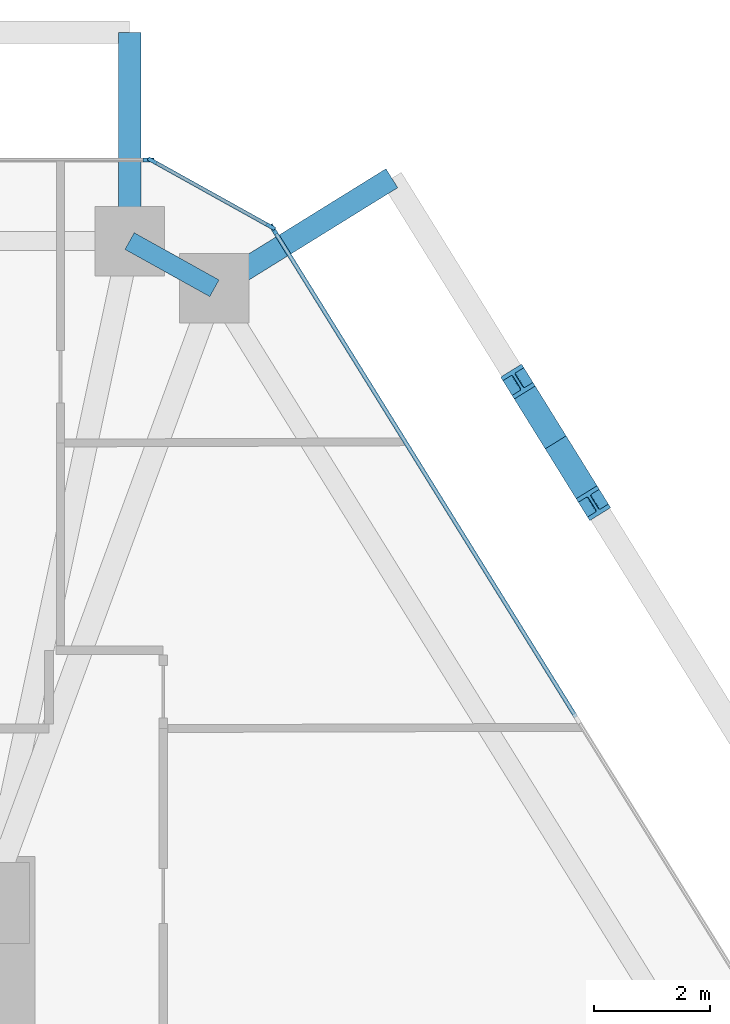
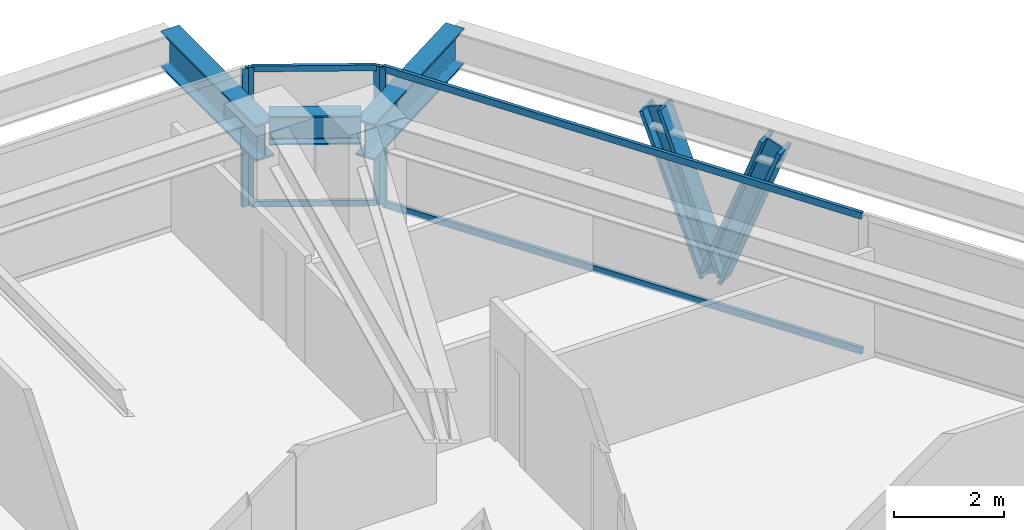
# One storey, part 8 of 14: 10 members, 3 beams, 3 elements without a shape of their own.
"""IFC4 building model written with IfcOpenShell, lengths in metres."""

from ifc_helpers import new_model, si_unit, direction, frame, origin, origin_2d, place, context, subcontext, project, spatial, rectangle, i_section, extrude, source, transform, mapped, material, layer, layer_set, material_profile, profile_set, type_object, type_shapes, element, aggregate, save


model = new_model("IFC4")

# Units and contexts
model_context = context("Model", 3, precision=1e-05, world=origin(), true_north=direction((0.0, 1.0)))
body_context = subcontext(model_context, "Body", "Model", "MODEL_VIEW")
ifc_project = project(units=[si_unit("LENGTHUNIT", "METRE"), si_unit("AREAUNIT", "SQUARE_METRE"), si_unit("VOLUMEUNIT", "CUBIC_METRE"), si_unit("PLANEANGLEUNIT", "RADIAN"), si_unit("MASSUNIT", "GRAM", prefix="KILO")], contexts=[model_context])

# Site, building, storey
site_placement = place(None, origin())
site = spatial("IfcSite", under=ifc_project, at=site_placement, CompositionType="ELEMENT")
building_placement = place(site_placement, origin())
building = spatial("IfcBuilding", under=site, at=building_placement, Name="Durnholm Broadcast Tower", CompositionType="ELEMENT")
storey_placement = place(building_placement, frame((0.0, 0.0, 107.39990234375)))
storey = spatial("IfcBuildingStorey", under=building, at=storey_placement, Name="L28", CompositionType="ELEMENT", Elevation=107.39990234375)

# Beams
ifc_material_1 = material(Name="Steel ASTM A992 Grade 50", Category="steel")
ifc_material_profile_1 = material_profile(ifc_material_1, i_section(OverallWidth=0.385009765625, OverallDepth=0.802978515625, WebThickness=0.023681640625, FlangeThickness=0.0419921875, FilletRadius=0.032958984375, at=origin_2d()), Name="W30X261")
ifc_profile_set_1 = profile_set([ifc_material_profile_1], Name="Steel ASTM A992 Grade 50")
beam_type_1 = type_object("IfcBeamType", Name="BM-EXO-TIE", PredefinedType="USERDEFINED", material=ifc_profile_set_1)
shared_shape_1 = source(origin(), body_context, "Body", "SweptSolid", [
    extrude(i_section(OverallWidth=0.385009765625, OverallDepth=0.802978515625, WebThickness=0.023681640625, FlangeThickness=0.0419921875, FilletRadius=0.032958984375, at=origin_2d()), origin(), (0.0, 0.0, 1.0), 3.4560546875),
])
beam_1_placement = place(storey_placement, frame((12.22998046875, 19.35888671875, 2.30859375), z_axis=(0.0, 1.0, 0.0), x_axis=(-1.0, 0.0, 0.0)))
element("IfcBeam", 1, at=beam_1_placement, inside=storey, type_object=beam_type_1, Name="L28 exoskeleton stand-off tie bracket F4.1", ObjectType="GIRDER", PredefinedType="USERDEFINED", context=body_context, shape_type="MappedRepresentation", body=[
    mapped(shared_shape_1, transform((0.0, 0.0, 0.0), x_axis=(1.0, 0.0, 0.0), y_axis=(0.0, 1.0, 0.0), z_axis=(0.0, 0.0, 1.0), scale=1.0)),
])
shared_shape_2 = source(origin(), body_context, "Body", "SweptSolid", [
    extrude(i_section(OverallWidth=0.385009765625, OverallDepth=0.802978515625, WebThickness=0.023681640625, FlangeThickness=0.0419921875, FilletRadius=0.032958984375, at=origin_2d()), origin(), (0.0, 0.0, 1.0), 3.455810546875),
])
type_shapes(beam_type_1, [shared_shape_1, shared_shape_2])
beam_2_placement = place(storey_placement, frame((13.814697265625, 18.477294921875, 2.30859375), z_axis=(0.849807128357, 0.527093772107, 0.0), x_axis=(-0.527093772107, 0.849807128357, 0.0)))
element("IfcBeam", 2, at=beam_2_placement, inside=storey, type_object=beam_type_1, Name="L28 exoskeleton stand-off tie bracket F3.2", ObjectType="GIRDER", PredefinedType="USERDEFINED", context=body_context, shape_type="MappedRepresentation", body=[
    mapped(shared_shape_2, transform((0.0, 0.0, 0.0), x_axis=(1.0, 0.0, 0.0), y_axis=(0.0, 1.0, 0.0), z_axis=(0.0, 0.0, 1.0), scale=1.0)),
])
ifc_material_profile_2 = material_profile(ifc_material_1, i_section(OverallWidth=0.3291015625, OverallDepth=0.635009765625, WebThickness=0.017822265625, FlangeThickness=0.031005859375, FilletRadius=0.02783203125, at=origin_2d()), Name="W24X162")
ifc_profile_set_2 = profile_set([ifc_material_profile_2], Name="Steel ASTM A992 Grade 50")
beam_type_2 = type_object("IfcBeamType", Name="STL-SP-W24X162", PredefinedType="SPANDREL", material=ifc_profile_set_2)
shared_shape_3 = source(origin(), body_context, "Body", "SweptSolid", [
    extrude(i_section(OverallWidth=0.3291015625, OverallDepth=0.635009765625, WebThickness=0.017822265625, FlangeThickness=0.031005859375, FilletRadius=0.02783203125, at=origin_2d()), origin(), (0.0, 0.0, 1.0), 1.67333984375),
])
type_shapes(beam_type_2, [shared_shape_3])
beam_3_placement = place(storey_placement, frame((12.22998046875, 19.215087890625, 2.7275390625), z_axis=(0.873799169188, -0.486286964586, 0.0), x_axis=(0.486286964586, 0.873799169188, 0.0)))
element("IfcBeam", 3, at=beam_3_placement, inside=storey, type_object=beam_type_2, Name="L28 perimeter spandrel girder 06", PredefinedType="SPANDREL", context=body_context, shape_type="MappedRepresentation", body=[
    mapped(shared_shape_3, transform((0.0, 0.0, 0.0), x_axis=(1.0, 0.0, 0.0), y_axis=(0.0, 1.0, 0.0), z_axis=(0.0, 0.0, 1.0), scale=1.0)),
])

# Members
ifc_material_2 = material(Name="Steel ASTM A913 Grade 65", Category="steel")
ifc_material_profile_3 = material_profile(ifc_material_2, i_section(OverallWidth=0.424072265625, OverallDepth=0.47412109375, WebThickness=0.047607421875, FlangeThickness=0.0771484375, FilletRadius=0.030517578125, at=origin_2d()), Name="W14X426")
ifc_profile_set_3 = profile_set([ifc_material_profile_3], Name="Steel ASTM A913 Grade 65")
member_type_1 = type_object("IfcMemberType", Name="STL-DG-W14X426", PredefinedType="BRACE", material=ifc_profile_set_3)
shared_shape_4 = source(origin(), body_context, "Body", "SweptSolid", [
    extrude(i_section(OverallWidth=0.424072265625, OverallDepth=0.47412109375, WebThickness=0.047607421875, FlangeThickness=0.0771484375, FilletRadius=0.030517578125, at=origin_2d()), origin(), (0.0, 0.0, 1.0), 3.52294921875),
])
type_shapes(member_type_1, [shared_shape_4])
for number, where, z_axis, x_axis, name in (
    (4, (19.576416015625, 15.74462890625, -0.9912109375), (0.184551685663, -0.297583529192, 0.936688165011), (0.849838868368, 0.527042595823, 0.0), "L28 stand-off diagrid brace F3.D2.1"),
    (5, (19.576416015625, 15.74462890625, -0.9912109375), (-0.184681755165, 0.297639076335, 0.936644879102), (-0.849716575602, -0.52723973783, 0.0), "L28 stand-off diagrid brace F3.D2.2"),
):
    element("IfcMember", number, at=place(storey_placement, frame(where, z_axis=z_axis, x_axis=x_axis)), inside=storey, type_object=member_type_1, Name=name, PredefinedType="BRACE", context=body_context, shape_type="MappedRepresentation", body=[
        mapped(shared_shape_4, transform((0.0, 0.0, 0.0), x_axis=(1.0, 0.0, 0.0), y_axis=(0.0, 1.0, 0.0), z_axis=(0.0, 0.0, 1.0), scale=1.0)),
    ])

# Curtain wall, members
ifc_material_3 = material(Name="Aluminium and Solar Control IGU", Category="aluminium")
ifc_layer_1 = layer(ifc_material_3, 0.1650390625)
ifc_layer_set_1 = layer_set([ifc_layer_1], Name="Aluminium and Solar Control IGU")
curtain_wall_type_1 = type_object("IfcCurtainWallType", Name="CW-SYS-5", PredefinedType="NOTDEFINED", material=ifc_layer_set_1)
curtain_wall_1_placement = place(storey_placement, origin())
curtain_wall_1 = element("IfcCurtainWall", 6, at=curtain_wall_1_placement, inside=storey, type_object=curtain_wall_type_1, Name="L28 curtain wall CW-CORNER CW-L28-CRN-05", PredefinedType="NOTDEFINED")
ifc_material_4 = material(Name="Aluminium 6063-T6", Category="aluminium")
ifc_material_profile_4 = material_profile(ifc_material_4, rectangle(XDim=0.06494140625, YDim=0.1650390625, at=origin_2d()), Name="CWM65X165")
ifc_profile_set_4 = profile_set([ifc_material_profile_4], Name="Aluminium 6063-T6")
member_type_2 = type_object("IfcMemberType", Name="CW-SYS-5-MUL", PredefinedType="MULLION", material=ifc_profile_set_4)
shared_shape_5 = source(origin(), body_context, "Body", "SweptSolid", [
    extrude(rectangle(XDim=0.06494140625, YDim=0.1650390625, at=origin_2d()), origin(), (0.0, 0.0, 1.0), 3.06005859375),
])
type_shapes(member_type_2, [shared_shape_5])
member_1_placement = place(storey_placement, frame((12.62158203125, 20.59912109375, 0.0), z_axis=(0.0, 0.0, 1.0), x_axis=(0.486244224192, 0.873822953715, 0.0)))
member_1 = element("IfcMember", 7, at=member_1_placement, type_object=member_type_2, Name="CW-CORNER mullion 1", PredefinedType="MULLION", context=body_context, shape_type="MappedRepresentation", body=[
    mapped(shared_shape_5, transform((0.0, 0.0, 0.0), x_axis=(1.0, 0.0, 0.0), y_axis=(0.0, 1.0, 0.0), z_axis=(0.0, 0.0, 1.0), scale=1.0)),
])
member_2_placement = place(storey_placement, frame((14.662109375, 19.4638671875, 0.0), z_axis=(0.0, 0.0, 1.0), x_axis=(0.486244224192, 0.873822953715, 0.0)))
member_2 = element("IfcMember", 8, at=member_2_placement, type_object=member_type_2, Name="CW-CORNER mullion 2", PredefinedType="MULLION", context=body_context, shape_type="MappedRepresentation", body=[
    mapped(shared_shape_5, transform((0.0, 0.0, 0.0), x_axis=(1.0, 0.0, 0.0), y_axis=(0.0, 1.0, 0.0), z_axis=(0.0, 0.0, 1.0), scale=1.0)),
])

# Curtain wall, member
ifc_layer_2 = layer(ifc_material_3, 0.18994140625)
ifc_layer_set_2 = layer_set([ifc_layer_2], Name="Aluminium and Solar Control IGU")
curtain_wall_type_2 = type_object("IfcCurtainWallType", Name="CW-SYS-3", PredefinedType="NOTDEFINED", material=ifc_layer_set_2)
curtain_wall_2_placement = place(storey_placement, origin())
curtain_wall_2 = element("IfcCurtainWall", 9, at=curtain_wall_2_placement, inside=storey, type_object=curtain_wall_type_2, Name="L28 curtain wall CW-Z12-VIS CW-L28-F04", PredefinedType="NOTDEFINED")
ifc_material_profile_5 = material_profile(ifc_material_4, rectangle(XDim=0.070068359375, YDim=0.18994140625, at=origin_2d()), Name="CWM70X190")
ifc_profile_set_5 = profile_set([ifc_material_profile_5], Name="Aluminium 6063-T6")
member_type_3 = type_object("IfcMemberType", Name="CW-SYS-3-MUL", PredefinedType="MULLION", material=ifc_profile_set_5)
shared_shape_6 = source(origin(), body_context, "Body", "SweptSolid", [
    extrude(rectangle(XDim=0.070068359375, YDim=0.18994140625, at=origin_2d()), origin(), (0.0, 0.0, 1.0), 3.06005859375),
])
type_shapes(member_type_3, [shared_shape_6])
member_3_placement = place(storey_placement, frame((12.55810546875, 20.614990234375, 0.0), z_axis=(0.0, 0.0, 1.0), x_axis=(0.0, 1.0, 0.0)))
member_3 = element("IfcMember", 10, at=member_3_placement, type_object=member_type_3, Name="CW-Z12-VIS mullion 3", PredefinedType="MULLION", context=body_context, shape_type="MappedRepresentation", body=[
    mapped(shared_shape_6, transform((0.0, 0.0, 0.0), x_axis=(1.0, 0.0, 0.0), y_axis=(0.0, 1.0, 0.0), z_axis=(0.0, 0.0, 1.0), scale=1.0)),
])
aggregate(curtain_wall_2, [member_3])

curtain_wall_3_placement = place(storey_placement, origin())
curtain_wall_3 = element("IfcCurtainWall", 11, at=curtain_wall_3_placement, inside=storey, type_object=curtain_wall_type_2, Name="L28 curtain wall CW-Z12-VIS CW-L28-F06", PredefinedType="NOTDEFINED")
member_4_placement = place(storey_placement, frame((14.708740234375, 19.418212890625, 0.0), z_axis=(0.0, 0.0, 1.0), x_axis=(0.849799925229, 0.527105385176, 0.0)))
member_4 = element("IfcMember", 12, at=member_4_placement, type_object=member_type_3, Name="CW-Z12-VIS mullion 1", PredefinedType="MULLION", context=body_context, shape_type="MappedRepresentation", body=[
    mapped(shared_shape_6, transform((0.0, 0.0, 0.0), x_axis=(1.0, 0.0, 0.0), y_axis=(0.0, 1.0, 0.0), z_axis=(0.0, 0.0, 1.0), scale=1.0)),
])

# Member
ifc_material_profile_6 = material_profile(ifc_material_4, rectangle(XDim=0.06494140625, YDim=0.1298828125, at=origin_2d()), Name="CWT65X130")
ifc_profile_set_6 = profile_set([ifc_material_profile_6], Name="Aluminium 6063-T6")
member_type_4 = type_object("IfcMemberType", Name="CW-SYS-5-TRN", PredefinedType="USERDEFINED", material=ifc_profile_set_6)
shared_shape_7 = source(origin(), body_context, "Body", "SweptSolid", [
    extrude(rectangle(XDim=0.06494140625, YDim=0.1298828125, at=origin_2d()), origin(), (0.0, 0.0, 1.0), 2.270263671875),
])
type_shapes(member_type_4, [shared_shape_7])
member_5_placement = place(storey_placement, frame((12.64990234375, 20.58349609375, 0.03271484375), z_axis=(0.873786708897, -0.486309353555, 0.0), x_axis=(0.486309353555, 0.873786708897, 0.0)))
member_5 = element("IfcMember", 13, at=member_5_placement, type_object=member_type_4, Name="CW-CORNER transom 1.1", ObjectType="TRANSOM", PredefinedType="USERDEFINED", context=body_context, shape_type="MappedRepresentation", body=[
    mapped(shared_shape_7, transform((0.0, 0.0, 0.0), x_axis=(1.0, 0.0, 0.0), y_axis=(0.0, 1.0, 0.0), z_axis=(0.0, 0.0, 1.0), scale=1.0)),
])

member_6_placement = place(storey_placement, frame((12.64990234375, 20.58349609375, 3.027587890625), z_axis=(0.873786708897, -0.486309353555, 0.0), x_axis=(0.486309353555, 0.873786708897, 0.0)))
member_6 = element("IfcMember", 14, at=member_6_placement, type_object=member_type_4, Name="CW-CORNER transom 1.2", ObjectType="TRANSOM", PredefinedType="USERDEFINED", context=body_context, shape_type="MappedRepresentation", body=[
    mapped(shared_shape_7, transform((0.0, 0.0, 0.0), x_axis=(1.0, 0.0, 0.0), y_axis=(0.0, 1.0, 0.0), z_axis=(0.0, 0.0, 1.0), scale=1.0)),
])

aggregate(curtain_wall_1, [member_1, member_2, member_5, member_6])

ifc_material_profile_7 = material_profile(ifc_material_4, rectangle(XDim=0.070068359375, YDim=0.14990234375, at=origin_2d()), Name="CWT70X150")
ifc_profile_set_7 = profile_set([ifc_material_profile_7], Name="Aluminium 6063-T6")
member_type_5 = type_object("IfcMemberType", Name="CW-SYS-3-TRN", PredefinedType="USERDEFINED", material=ifc_profile_set_7)
shared_shape_8 = source(origin(), body_context, "Body", "SweptSolid", [
    extrude(rectangle(XDim=0.070068359375, YDim=0.14990234375, at=origin_2d()), origin(), (0.0, 0.0, 1.0), 9.858642578125),
])
type_shapes(member_type_5, [shared_shape_8])
member_7_placement = place(storey_placement, frame((14.727294921875, 19.388427734375, 0.03515625), z_axis=(0.527102081419, -0.849801974441, 0.0), x_axis=(0.849801974441, 0.527102081419, 0.0)))
member_7 = element("IfcMember", 15, at=member_7_placement, type_object=member_type_5, Name="CW-Z12-VIS transom 1.1", ObjectType="TRANSOM", PredefinedType="USERDEFINED", context=body_context, shape_type="MappedRepresentation", body=[
    mapped(shared_shape_8, transform((0.0, 0.0, 0.0), x_axis=(1.0, 0.0, 0.0), y_axis=(0.0, 1.0, 0.0), z_axis=(0.0, 0.0, 1.0), scale=1.0)),
])

member_8_placement = place(storey_placement, frame((14.727294921875, 19.388427734375, 3.025146484375), z_axis=(0.527102081419, -0.849801974441, 0.0), x_axis=(0.849801974441, 0.527102081419, 0.0)))
member_8 = element("IfcMember", 16, at=member_8_placement, type_object=member_type_5, Name="CW-Z12-VIS transom 1.2", ObjectType="TRANSOM", PredefinedType="USERDEFINED", context=body_context, shape_type="MappedRepresentation", body=[
    mapped(shared_shape_8, transform((0.0, 0.0, 0.0), x_axis=(1.0, 0.0, 0.0), y_axis=(0.0, 1.0, 0.0), z_axis=(0.0, 0.0, 1.0), scale=1.0)),
])

aggregate(curtain_wall_3, [member_4, member_7, member_8])

save(model, "model.ifc")
